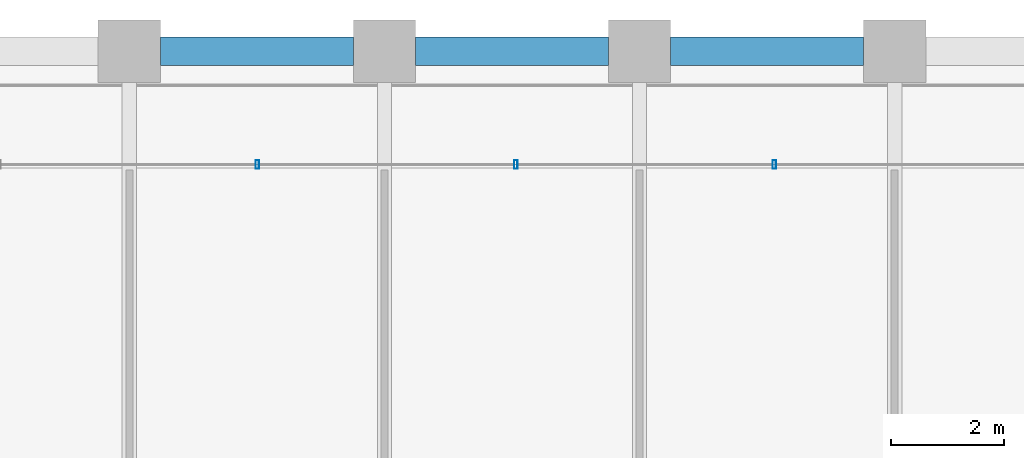
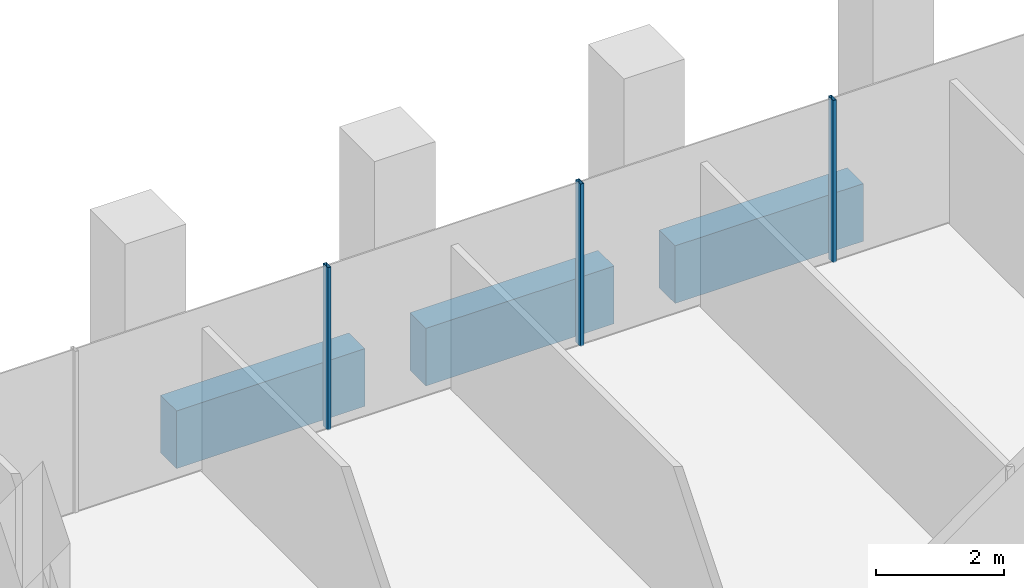
# One storey, part 29 of 56: 3 beams, 3 members, 1 element without a shape of its own.
"""IFC4 building model written with IfcOpenShell, lengths in metres."""

from ifc_helpers import new_model, si_unit, direction, frame, origin, origin_2d, place, context, subcontext, project, spatial, rectangle, hollow_rectangle, extrude, material, material_profile, profile_set, type_object, element, aggregate, save


model = new_model("IFC4")

# Units and contexts
model_context = context("Model", 3, precision=1e-05, world=origin(), true_north=direction((0.0, 1.0)))
body_context = subcontext(model_context, "Body", "Model", "MODEL_VIEW")
ifc_project = project(units=[si_unit("LENGTHUNIT", "METRE"), si_unit("AREAUNIT", "SQUARE_METRE"), si_unit("VOLUMEUNIT", "CUBIC_METRE"), si_unit("PLANEANGLEUNIT", "RADIAN"), si_unit("MASSUNIT", "GRAM", prefix="KILO")], contexts=[model_context])

# Site, building, storey
site_placement = place(None, origin())
site = spatial("IfcSite", under=ifc_project, at=site_placement, CompositionType="ELEMENT")
building_placement = place(site_placement, origin())
building = spatial("IfcBuilding", under=site, at=building_placement, Name="Altepetl Exchange Towers", CompositionType="ELEMENT")
storey_placement = place(building_placement, frame((0.0, 0.0, 76.199951171875)))
storey = spatial("IfcBuildingStorey", under=building, at=storey_placement, Name="L18", CompositionType="ELEMENT", Elevation=76.199951171875)

# Curtain wall, members
ifc_material_1 = material(Name="Aluminium 6063-T6 glazing", Category="aluminium")
curtain_wall_type = type_object("IfcCurtainWallType", Name="Loggia glazing system", PredefinedType="NOTDEFINED", material=ifc_material_1)
curtain_wall_placement = place(storey_placement, origin())
curtain_wall = element("IfcCurtainWall", 1, at=curtain_wall_placement, inside=storey, type_object=curtain_wall_type, Name="CW1 run", PredefinedType="NOTDEFINED")
ifc_material_2 = material(Name="Aluminium 6063-T6", Category="aluminium")
ifc_material_profile_1 = material_profile(ifc_material_2, hollow_rectangle(XDim=0.06005859375, YDim=0.14990234375, WallThickness=0.0029296875, at=origin_2d()), Name="Mullion 60x150 aluminium")
ifc_profile_set_1 = profile_set([ifc_material_profile_1], Name="Aluminium 6063-T6")
member_type = type_object("IfcMemberType", Name="Mullion 60x150 aluminium", PredefinedType="MULLION", material=ifc_profile_set_1)
member_1_placement = place(storey_placement, frame((56.378662109375, 70.0, 0.0), z_axis=(0.0, 0.0, 1.0), x_axis=(-1.0, 0.0, 0.0)))
member_1 = element("IfcMember", 2, at=member_1_placement, type_object=member_type, Name="MU1 mullion", PredefinedType="MULLION", context=body_context, shape_type="SweptSolid", body=[
    extrude(hollow_rectangle(XDim=0.06005859375, YDim=0.14990234375, WallThickness=0.0029296875, at=origin_2d()), origin(), (0.0, 0.0, 1.0), 3.10009765625),
])
member_2_placement = place(storey_placement, frame((51.81787109375, 70.0, 0.0), z_axis=(0.0, 0.0, 1.0), x_axis=(-1.0, 0.0, 0.0)))
member_2 = element("IfcMember", 3, at=member_2_placement, type_object=member_type, Name="MU1 mullion", PredefinedType="MULLION", context=body_context, shape_type="SweptSolid", body=[
    extrude(hollow_rectangle(XDim=0.06005859375, YDim=0.14990234375, WallThickness=0.0029296875, at=origin_2d()), origin(), (0.0, 0.0, 1.0), 3.10009765625),
])
member_3_placement = place(storey_placement, frame((47.257080078125, 70.0, 0.0), z_axis=(0.0, 0.0, 1.0), x_axis=(-1.0, 0.0, 0.0)))
member_3 = element("IfcMember", 4, at=member_3_placement, type_object=member_type, Name="MU1 mullion", PredefinedType="MULLION", context=body_context, shape_type="SweptSolid", body=[
    extrude(hollow_rectangle(XDim=0.06005859375, YDim=0.14990234375, WallThickness=0.0029296875, at=origin_2d()), origin(), (0.0, 0.0, 1.0), 3.10009765625),
])
aggregate(curtain_wall, [member_1, member_2, member_3])

# Beams
ifc_material_3 = material(Name="Concrete C50/60 precast with cantera rosa facing", Category="concrete")
ifc_material_profile_2 = material_profile(ifc_material_3, rectangle(XDim=0.5, YDim=1.10009765625, at=origin_2d()), Name="500 x 1100")
ifc_profile_set_2 = profile_set([ifc_material_profile_2], Name="Concrete C50/60 precast with cantera rosa facing")
beam_type = type_object("IfcBeamType", Name="Spandrel beam 500x1100 cantera rosa", PredefinedType="SPANDREL", material=ifc_profile_set_2)
for number, where, z_axis, x_axis, name in (
    (5, (57.949951171875, 72.0, -0.699951171875), (-1.0, 0.0, 0.0), (0.0, -1.0, 0.0), "sp:A:L18:026"),
    (6, (53.449951171875, 72.0, -0.699951171875), (-1.0, 0.0, 0.0), (0.0, -1.0, 0.0), "sp:A:L18:027"),
    (7, (48.949951171875, 72.0, -0.699951171875), (-1.0, 0.0, 0.0), (0.0, -1.0, 0.0), "sp:A:L18:028"),
):
    element("IfcBeam", number, at=place(storey_placement, frame(where, z_axis=z_axis, x_axis=x_axis)), inside=storey, type_object=beam_type, Name=name, PredefinedType="SPANDREL", context=body_context, shape_type="SweptSolid", body=[
        extrude(rectangle(XDim=0.5, YDim=1.10009765625, at=origin_2d()), origin(), (0.0, 0.0, 1.0), 3.39990234375),
    ])

save(model, "model.ifc")
